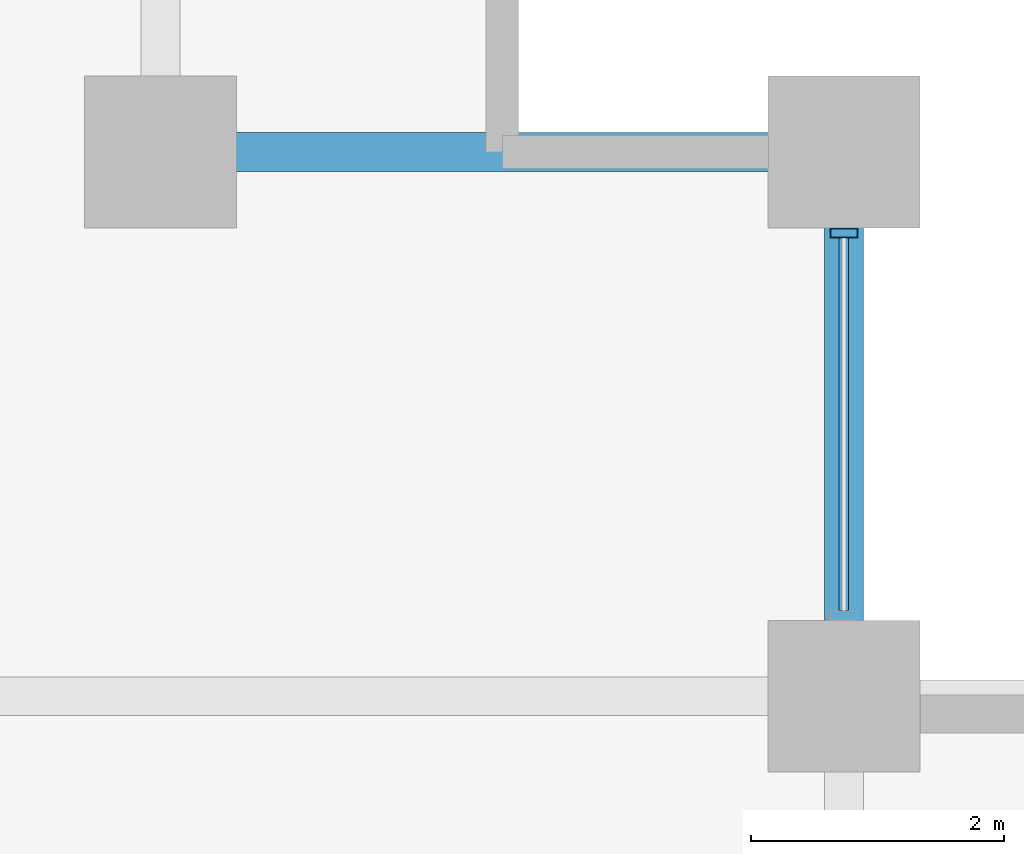
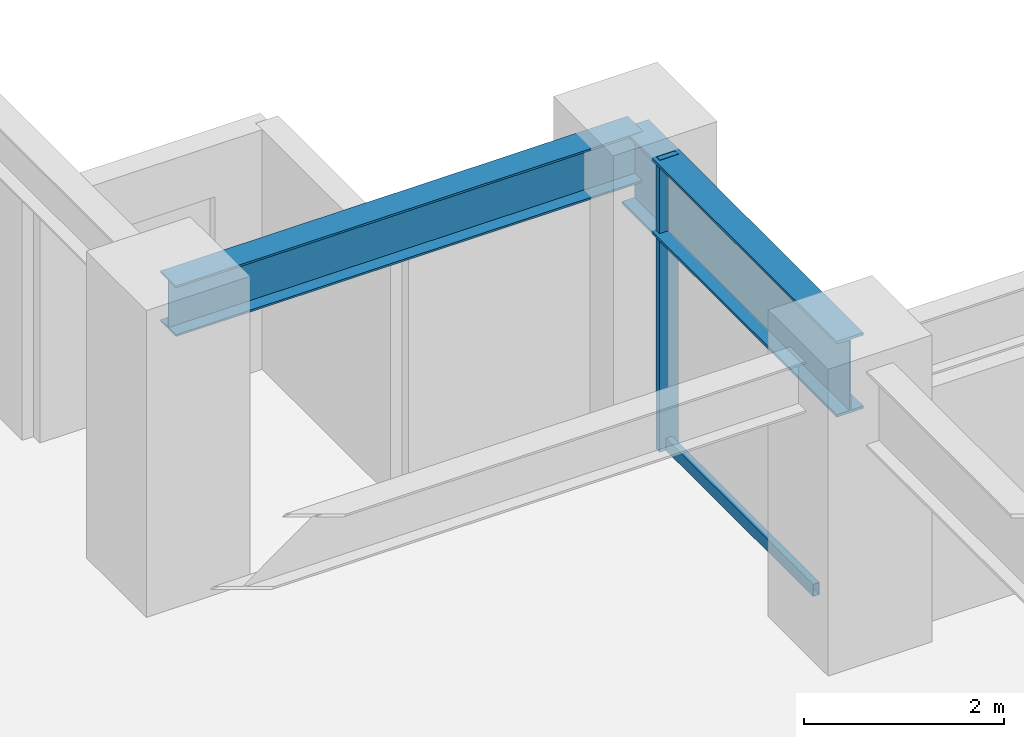
# One storey, part 18 of 28: 2 beams, 2 members, 1 element without a shape of its own.
"""IFC4 building model written with IfcOpenShell, lengths in metres."""

from ifc_helpers import new_model, si_unit, direction, frame, origin, origin_2d, place, context, subcontext, project, spatial, hollow_rectangle, i_section, extrude, material, layer, layer_set, material_profile, profile_set, type_object, element, aggregate, save


model = new_model("IFC4")

# Units and contexts
model_context = context("Model", 3, precision=1e-05, world=origin(), true_north=direction((0.0, 1.0)))
body_context = subcontext(model_context, "Body", "Model", "MODEL_VIEW")
ifc_project = project(units=[si_unit("LENGTHUNIT", "METRE"), si_unit("AREAUNIT", "SQUARE_METRE"), si_unit("VOLUMEUNIT", "CUBIC_METRE"), si_unit("PLANEANGLEUNIT", "RADIAN"), si_unit("MASSUNIT", "GRAM", prefix="KILO")], contexts=[model_context])

# Site, building, storey
site_placement = place(None, origin())
site = spatial("IfcSite", under=ifc_project, at=site_placement, CompositionType="ELEMENT")
building_placement = place(site_placement, origin())
building = spatial("IfcBuilding", under=site, at=building_placement, Name="Surkhivell Harbour Commons", CompositionType="ELEMENT")
storey_placement = place(building_placement, frame((0.0, 0.0, 63.75)))
storey = spatial("IfcBuildingStorey", under=building, at=storey_placement, Name="L16", CompositionType="ELEMENT", Elevation=63.75)

# Beams
ifc_material_1 = material(Name="Steel S355", Category="steel")
ifc_material_profile_1 = material_profile(ifc_material_1, i_section(OverallWidth=0.306884765625, OverallDepth=0.6201171875, WebThickness=0.01416015625, FlangeThickness=0.023681640625, at=origin_2d()), Name="UB610x305x179")
ifc_profile_set_1 = profile_set([ifc_material_profile_1], Name="Steel S355")
beam_type_1 = type_object("IfcBeamType", Name="BM-GRD-610A", PredefinedType="BEAM", material=ifc_profile_set_1)
beam_1_placement = place(storey_placement, frame((27.0, 20.5, 3.260009765625), z_axis=(1.0, 0.0, 0.0), x_axis=(0.0, 1.0, 0.0)))
element("IfcBeam", 1, at=beam_1_placement, inside=storey, type_object=beam_type_1, Name="L16 Floor Girder (27.0,20.5)", PredefinedType="BEAM", context=body_context, shape_type="SweptSolid", body=[
    extrude(i_section(OverallWidth=0.306884765625, OverallDepth=0.6201171875, WebThickness=0.01416015625, FlangeThickness=0.023681640625, at=origin_2d()), origin(), (0.0, 0.0, 1.0), 5.39990234375),
])
ifc_material_2 = material(Name="Steel S460", Category="steel")
ifc_material_profile_2 = material_profile(ifc_material_2, i_section(OverallWidth=0.30810546875, OverallDepth=0.927001953125, WebThickness=0.01953125, FlangeThickness=0.031982421875, at=origin_2d()), Name="UB914x305x289")
ifc_profile_set_2 = profile_set([ifc_material_profile_2], Name="Steel S460")
beam_type_2 = type_object("IfcBeamType", Name="BM-SPN-914B", PredefinedType="SPANDREL", material=ifc_profile_set_2)
beam_2_placement = place(storey_placement, frame((32.39990234375, 16.199951171875, 3.1064453125), z_axis=(0.0, 1.0, 0.0), x_axis=(-1.0, 0.0, 0.0)))
element("IfcBeam", 2, at=beam_2_placement, inside=storey, type_object=beam_type_2, Name="L16 Tube Spandrel (32.4,16.2)", PredefinedType="SPANDREL", context=body_context, shape_type="SweptSolid", body=[
    extrude(i_section(OverallWidth=0.30810546875, OverallDepth=0.927001953125, WebThickness=0.01953125, FlangeThickness=0.031982421875, at=origin_2d()), origin(), (0.0, 0.0, 1.0), 4.300048828125),
])

# Curtain wall, members
ifc_material_3 = material(Name="Anodised pale-metal aluminium and insulated glazing", Category="aluminium")
ifc_layer = layer(ifc_material_3, 0.219970703125)
ifc_layer_set = layer_set([ifc_layer], Name="Anodised pale-metal aluminium and insulated glazing")
curtain_wall_type = type_object("IfcCurtainWallType", Name="CW-SYS-Z1", PredefinedType="NOTDEFINED", material=ifc_layer_set)
curtain_wall_placement = place(storey_placement, origin())
curtain_wall = element("IfcCurtainWall", 3, at=curtain_wall_placement, inside=storey, type_object=curtain_wall_type, Name="L16 Curtain Wall CW-L16-E02R2", PredefinedType="NOTDEFINED")
ifc_material_4 = material(Name="Anodised pale-metal aluminium alloy 6063-T6", Category="aluminium")
ifc_material_profile_3 = material_profile(ifc_material_4, hollow_rectangle(XDim=0.074951171875, YDim=0.219970703125, WallThickness=0.00390625, at=origin_2d()), Name="ALU-MULL-75x220")
ifc_profile_set_3 = profile_set([ifc_material_profile_3], Name="Anodised pale-metal aluminium alloy 6063-T6")
member_type_1 = type_object("IfcMemberType", Name="CWM-220", PredefinedType="MULLION", material=ifc_profile_set_3)
member_1_placement = place(storey_placement, frame((32.39990234375, 19.860595703125, 0.0), z_axis=(0.0, 0.0, 1.0), x_axis=(0.0, 1.0, 0.0)))
member_1 = element("IfcMember", 4, at=member_1_placement, type_object=member_type_1, Name="CW-Z1 mullion 2", PredefinedType="MULLION", context=body_context, shape_type="SweptSolid", body=[
    extrude(hollow_rectangle(XDim=0.074951171875, YDim=0.219970703125, WallThickness=0.00390625, at=origin_2d()), origin(), (0.0, 0.0, 1.0), 3.570068359375),
])
ifc_material_profile_4 = material_profile(ifc_material_4, hollow_rectangle(XDim=0.074951171875, YDim=0.14990234375, WallThickness=0.00341796875, at=origin_2d()), Name="ALU-TRAN-75x150")
ifc_profile_set_4 = profile_set([ifc_material_profile_4], Name="Anodised pale-metal aluminium alloy 6063-T6")
member_type_2 = type_object("IfcMemberType", Name="CWT-150", PredefinedType="USERDEFINED", material=ifc_profile_set_4)
member_2_placement = place(storey_placement, frame((32.39990234375, 16.876953125, 0.074951171875), z_axis=(0.0, 1.0, 0.0), x_axis=(-1.0, 0.0, 0.0)))
member_2 = element("IfcMember", 5, at=member_2_placement, type_object=member_type_2, Name="CW-Z1 transom 1.1", ObjectType="TRANSOM", PredefinedType="USERDEFINED", context=body_context, shape_type="SweptSolid", body=[
    extrude(hollow_rectangle(XDim=0.074951171875, YDim=0.14990234375, WallThickness=0.00341796875, at=origin_2d()), origin(), (0.0, 0.0, 1.0), 2.946044921875),
])
aggregate(curtain_wall, [member_1, member_2])

save(model, "model.ifc")
